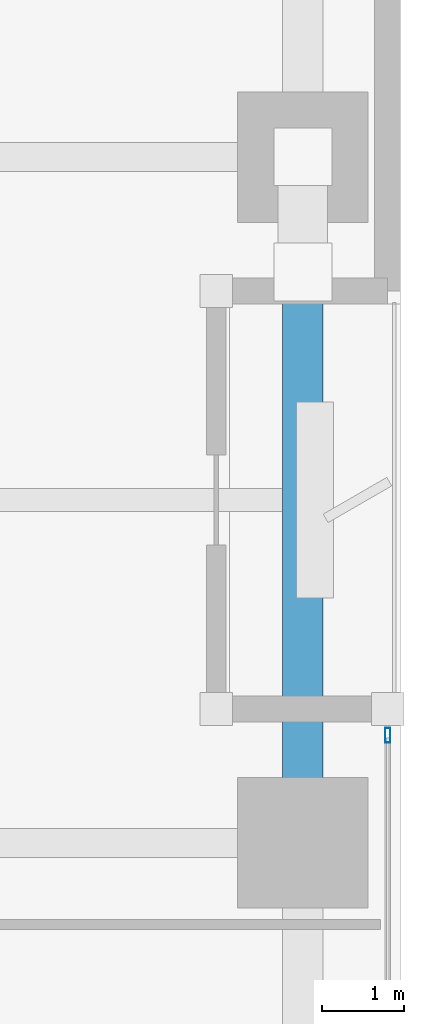
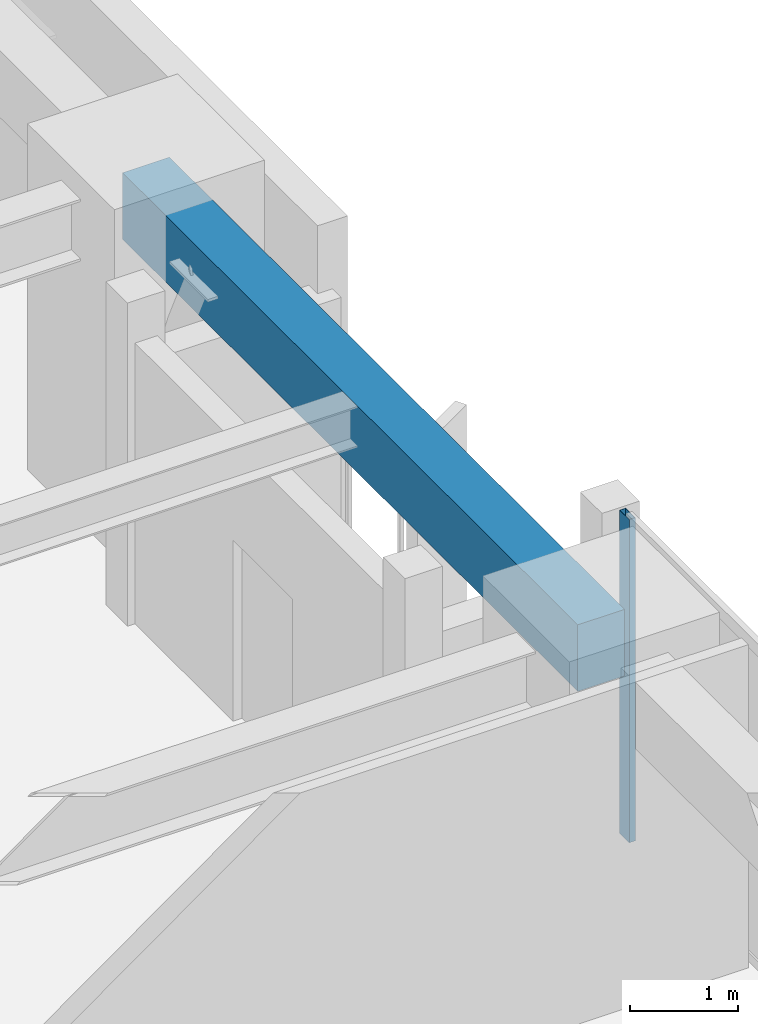
# One storey, part 10 of 29: 1 beam, 1 member, 1 element without a shape of its own.
"""IFC4 building model written with IfcOpenShell, lengths in metres."""

import ifcopenshell
import ifcopenshell.guid

model = None  # the IFC model being written
_history = None  # IfcOwnerHistory: only IFC2X3 demands one
_inside = {}  # id of a spatial element -> (the spatial element, [elements in it])
_under = {}  # id of a project, library or spatial element -> (it, [spatial elements below it])
_declared = {}  # id of a project -> (the project, [libraries it declares])
_typed = {}  # id of a type object -> (the type object, [elements of that type])
_made_of = {}  # id of a material, layer set ... -> (it, [elements and type objects made of it])


def new_model(schema):
    """Start an empty IFC model of exactly this schema.

    Asked for "IFC4X3", IfcOpenShell would pick the latest addendum, in which some entities
    have other attributes; the version numbers below select the first issue.
    IFC2X3 requires an IfcOwnerHistory on every rooted entity: one is made here for all.
    """
    global model, _history
    if schema == "IFC4X3":
        model = ifcopenshell.file(schema_version=(4, 3, 0, 0))
    else:
        model = ifcopenshell.file(schema=schema)
    _inside.clear()
    _under.clear()
    _declared.clear()
    _typed.clear()
    _made_of.clear()
    _history = None
    if model.schema == "IFC2X3":
        org = make("IfcOrganization", Name="unknown")
        user = make(
            "IfcPersonAndOrganization",
            ThePerson=make("IfcPerson", FamilyName="unknown"),
            TheOrganization=org,
        )
        app = make(
            "IfcApplication",
            ApplicationDeveloper=org,
            Version="unknown",
            ApplicationFullName="unknown",
            ApplicationIdentifier="unknown",
        )
        _history = make(
            "IfcOwnerHistory",
            OwningUser=user,
            OwningApplication=app,
            ChangeAction="ADDED",
            CreationDate=0,
        )
    return model


def make(cls, **values):
    """One entity of the class cls with the attributes given. An attribute that is None is left unset."""
    return model.create_entity(
        cls, **{name: value for name, value in values.items() if value is not None}
    )


def rooted(cls, **values):
    """An entity with a GlobalId (a new one), such as an element, a storey or a relation."""
    return make(cls, GlobalId=ifcopenshell.guid.new(), OwnerHistory=_history, **values)


def si_unit(unit_type, name, prefix=None):
    """IfcSIUnit, for example si_unit("LENGTHUNIT", "METRE", prefix="MILLI")."""
    return make("IfcSIUnit", UnitType=unit_type, Prefix=prefix, Name=name)


def assignment(units):
    """IfcUnitAssignment: the units of a project."""
    return None if units is None else make("IfcUnitAssignment", Units=units)


def point(xyz):
    """IfcCartesianPoint."""
    return None if xyz is None else make("IfcCartesianPoint", Coordinates=xyz)


def direction(xyz):
    """IfcDirection."""
    return None if xyz is None else make("IfcDirection", DirectionRatios=xyz)


def frame(location, z_axis=None, x_axis=None):
    """IfcAxis2Placement3D, a coordinate frame: its origin and axes. An axis left out is left unset."""
    return make(
        "IfcAxis2Placement3D",
        Location=point(location),
        Axis=direction(z_axis),
        RefDirection=direction(x_axis),
    )


def frame_2d(location, x_axis=None):
    """IfcAxis2Placement2D, a coordinate frame in the plane: its origin and x axis."""
    return make(
        "IfcAxis2Placement2D", Location=point(location), RefDirection=direction(x_axis)
    )


def origin():
    """The frame at (0, 0, 0) with its axes left unset."""
    return frame((0.0, 0.0, 0.0))


def origin_2d():
    """The frame at (0, 0) in the plane with its x axis left unset."""
    return frame_2d((0.0, 0.0))


def place(relative_to, where):
    """IfcLocalPlacement: puts the frame where relative to a parent placement (None: the world)."""
    return make(
        "IfcLocalPlacement", PlacementRelTo=relative_to, RelativePlacement=where
    )


def context(
    kind, dimensions, precision=None, world=None, true_north=None, identifier=None
):
    """IfcGeometricRepresentationContext, for example the 3D "Model" context."""
    return make(
        "IfcGeometricRepresentationContext",
        ContextIdentifier=identifier,
        ContextType=kind,
        CoordinateSpaceDimension=dimensions,
        Precision=precision,
        WorldCoordinateSystem=world,
        TrueNorth=true_north,
    )


def subcontext(parent, identifier, kind, view, scale=None):
    """IfcGeometricRepresentationSubContext, for example "Body" below "Model"."""
    return make(
        "IfcGeometricRepresentationSubContext",
        ContextIdentifier=identifier,
        ContextType=kind,
        ParentContext=parent,
        TargetScale=scale,
        TargetView=view,
    )


def project(units=None, contexts=None):
    """IfcProject with its units and contexts."""
    return rooted(
        "IfcProject",
        Name="project",
        RepresentationContexts=contexts,
        UnitsInContext=assignment(units),
    )


def spatial(cls, under=None, at=None, **own):
    """A site, building, storey or space (cls), placed at a placement, below another one or the project."""
    s = rooted(cls, ObjectPlacement=at, **own)
    if under is not None:
        _under.setdefault(under.id(), (under, []))[1].append(s)
    return s


def profile(cls, at=None, kind="AREA", **sizes):
    """A parametric profile (cls). Its sizes go by their IFC names, for example OverallWidth=200.0."""
    return make(cls, ProfileType=kind, Position=at, **sizes)


def rectangle(**sizes):
    """IfcRectangleProfileDef."""
    return profile("IfcRectangleProfileDef", **sizes)


def hollow_rectangle(**sizes):
    """IfcRectangleHollowProfileDef."""
    return profile("IfcRectangleHollowProfileDef", **sizes)


def extrude(swept, where, along, depth):
    """IfcExtrudedAreaSolid: the profile swept, set in the frame where, extruded along a direction by depth."""
    return make(
        "IfcExtrudedAreaSolid",
        SweptArea=swept,
        Position=where,
        ExtrudedDirection=direction(along),
        Depth=depth,
    )


def shape(context_of_items, identifier, shape_type, items):
    """IfcShapeRepresentation: the items that make up one representation, for example the "Body"."""
    return make(
        "IfcShapeRepresentation",
        ContextOfItems=context_of_items,
        RepresentationIdentifier=identifier,
        RepresentationType=shape_type,
        Items=items,
    )


def material(Name=None, Category=None):
    """IfcMaterial."""
    return make("IfcMaterial", Name=Name, Category=Category)


def layer(
    of_material, thickness, ventilated=None, Name=None, Category=None, Priority=None
):
    """IfcMaterialLayer: one layer of a wall or slab, of a material (None: an air gap)."""
    return make(
        "IfcMaterialLayer",
        Material=of_material,
        LayerThickness=thickness,
        IsVentilated=ventilated,
        Name=Name,
        Category=Category,
        Priority=Priority,
    )


def layer_set(layers, Name=None):
    """IfcMaterialLayerSet."""
    return make("IfcMaterialLayerSet", MaterialLayers=layers, LayerSetName=Name)


def material_profile(
    of_material, cross_section, Name=None, Category=None, Priority=None
):
    """IfcMaterialProfile: a cross section and its material."""
    return make(
        "IfcMaterialProfile",
        Name=Name,
        Material=of_material,
        Profile=cross_section,
        Priority=Priority,
        Category=Category,
    )


def profile_set(profiles, Name=None, composite=None):
    """IfcMaterialProfileSet."""
    return make(
        "IfcMaterialProfileSet",
        Name=Name,
        MaterialProfiles=profiles,
        CompositeProfile=composite,
    )


def made_of(thing, what):
    """Note that an element or type object is made of a material, layer set ...; save() writes the relation."""
    if what is not None:
        _made_of.setdefault(what.id(), (what, []))[1].append(thing)
    return thing


def type_object(cls, material=None, **own):
    """A type object (cls), such as IfcWallType, which elements share."""
    return made_of(rooted(cls, **own), material)


def element(
    cls,
    number,
    at=None,
    inside=None,
    cuts=None,
    type_object=None,
    material=None,
    context=None,
    identifier="Body",
    shape_type=None,
    held_by="IfcProductDefinitionShape",
    body=None,
    shapes=None,
    **own,
):
    """One element of the class cls, such as IfcWall. Its Tag is "e" and its number.

    at: its placement. inside: the storey or other place that contains it. cuts: it is an
    opening in that element (IfcRelVoidsElement). A single representation is given by context,
    identifier, shape_type and body (its items); several are given by shapes. held_by: the class
    of the entity that holds the representations. save() writes the other relations.
    """
    e = rooted(cls, Tag="e%d" % number, ObjectPlacement=at, **own)
    if body is not None:
        shapes = [shape(context, identifier, shape_type, body)]
    if shapes is not None:
        e.Representation = make(held_by, Representations=shapes)
    if inside is not None:
        _inside.setdefault(inside.id(), (inside, []))[1].append(e)
    if cuts is not None:
        rooted(
            "IfcRelVoidsElement", RelatingBuildingElement=cuts, RelatedOpeningElement=e
        )
    if type_object is not None:
        _typed.setdefault(type_object.id(), (type_object, []))[1].append(e)
    return made_of(e, material)


def aggregate(whole, parts):
    """IfcRelAggregates: a whole, such as a stair, and the parts it consists of."""
    return rooted("IfcRelAggregates", RelatingObject=whole, RelatedObjects=parts)


def save(model, path):
    """Write the relations noted so far, then the file.

    IfcRelAggregates (storeys below a building ...), IfcRelContainedInSpatialStructure (elements
    in a storey), IfcRelDefinesByType, IfcRelAssociatesMaterial and IfcRelDeclares: one each for
    every whole, place, type object, material and project.
    """
    for whole, parts in _under.values():
        aggregate(whole, parts)
    for where, things in _inside.values():
        rooted(
            "IfcRelContainedInSpatialStructure",
            RelatedElements=things,
            RelatingStructure=where,
        )
    for kind, things in _typed.values():
        rooted("IfcRelDefinesByType", RelatedObjects=things, RelatingType=kind)
    for what, things in _made_of.values():
        rooted("IfcRelAssociatesMaterial", RelatedObjects=things, RelatingMaterial=what)
    for by, libraries in _declared.values():
        rooted("IfcRelDeclares", RelatingContext=by, RelatedDefinitions=libraries)
    model.write(path)


model = new_model("IFC4")

# Units and contexts
model_context = context("Model", 3, precision=1e-05, world=origin(), true_north=direction((0.0, 1.0)))
body_context = subcontext(model_context, "Body", "Model", "MODEL_VIEW")
ifc_project = project(units=[si_unit("LENGTHUNIT", "METRE"), si_unit("AREAUNIT", "SQUARE_METRE"), si_unit("VOLUMEUNIT", "CUBIC_METRE"), si_unit("PLANEANGLEUNIT", "RADIAN"), si_unit("MASSUNIT", "GRAM", prefix="KILO")], contexts=[model_context])

# Site, building, storey
site_placement = place(None, origin())
site = spatial("IfcSite", under=ifc_project, at=site_placement, CompositionType="ELEMENT")
building_placement = place(site_placement, origin())
building = spatial("IfcBuilding", under=site, at=building_placement, Name="Kiyonajd Concourse Tower", CompositionType="ELEMENT")
storey_placement = place(building_placement, frame((0.0, 0.0, 25.5)))
storey = spatial("IfcBuildingStorey", under=building, at=storey_placement, Name="L07", CompositionType="ELEMENT", Elevation=25.5)

# Beam
ifc_material_1 = material(Name="Precast concrete C50/60", Category="concrete")
ifc_material_profile_1 = material_profile(ifc_material_1, rectangle(XDim=0.5, YDim=0.75, at=origin_2d()), Name="RCBM-500x750")
ifc_profile_set_1 = profile_set([ifc_material_profile_1], Name="Precast concrete C50/60")
beam_type = type_object("IfcBeamType", Name="BM-SPAN-RC", PredefinedType="SPANDREL", material=ifc_profile_set_1)
beam_placement = place(storey_placement, frame((78.0, 36.0, 3.264892578125), z_axis=(0.0, 1.0, 0.0), x_axis=(-1.0, 0.0, 0.0)))
element("IfcBeam", 1, at=beam_placement, inside=storey, type_object=beam_type, Name="L07 Perimeter Bundled Tube Spandrel", PredefinedType="SPANDREL", context=body_context, shape_type="SweptSolid", body=[
    extrude(rectangle(XDim=0.5, YDim=0.75, at=origin_2d()), origin(), (0.0, 0.0, 1.0), 8.39990234375),
])

# Curtain wall, member
ifc_material_2 = material(Name="Thermally Broken Anodised Aluminium", Category="aluminium")
ifc_layer = layer(ifc_material_2, 0.179931640625)
ifc_layer_set = layer_set([ifc_layer], Name="Thermally Broken Anodised Aluminium")
curtain_wall_type = type_object("IfcCurtainWallType", Name="CW-SYS-02", PredefinedType="NOTDEFINED", material=ifc_layer_set)
curtain_wall_placement = place(storey_placement, origin())
curtain_wall = element("IfcCurtainWall", 2, at=curtain_wall_placement, inside=storey, type_object=curtain_wall_type, Name="L07 Unitised Curtain Wall CW2", PredefinedType="NOTDEFINED")
ifc_material_profile_2 = material_profile(ifc_material_2, hollow_rectangle(XDim=0.06494140625, YDim=0.179931640625, WallThickness=0.00390625, at=origin_2d()), Name="MULL-65x180")
ifc_profile_set_2 = profile_set([ifc_material_profile_2], Name="Thermally Broken Anodised Aluminium")
member_type = type_object("IfcMemberType", Name="MB-CW-MULL1", PredefinedType="MULLION", material=ifc_profile_set_2)
member_placement = place(storey_placement, frame((79.0400390625, 37.3173828125, 0.0), z_axis=(0.0, 0.0, 1.0), x_axis=(1.0, 0.0, 0.0)))
member = element("IfcMember", 3, at=member_placement, type_object=member_type, Name="CW2 mullion 1", PredefinedType="MULLION", context=body_context, shape_type="SweptSolid", body=[
    extrude(hollow_rectangle(XDim=0.06494140625, YDim=0.179931640625, WallThickness=0.00390625, at=origin_2d()), origin(), (0.0, 0.0, 1.0), 3.639892578125),
])
aggregate(curtain_wall, [member])

save(model, "model.ifc")
